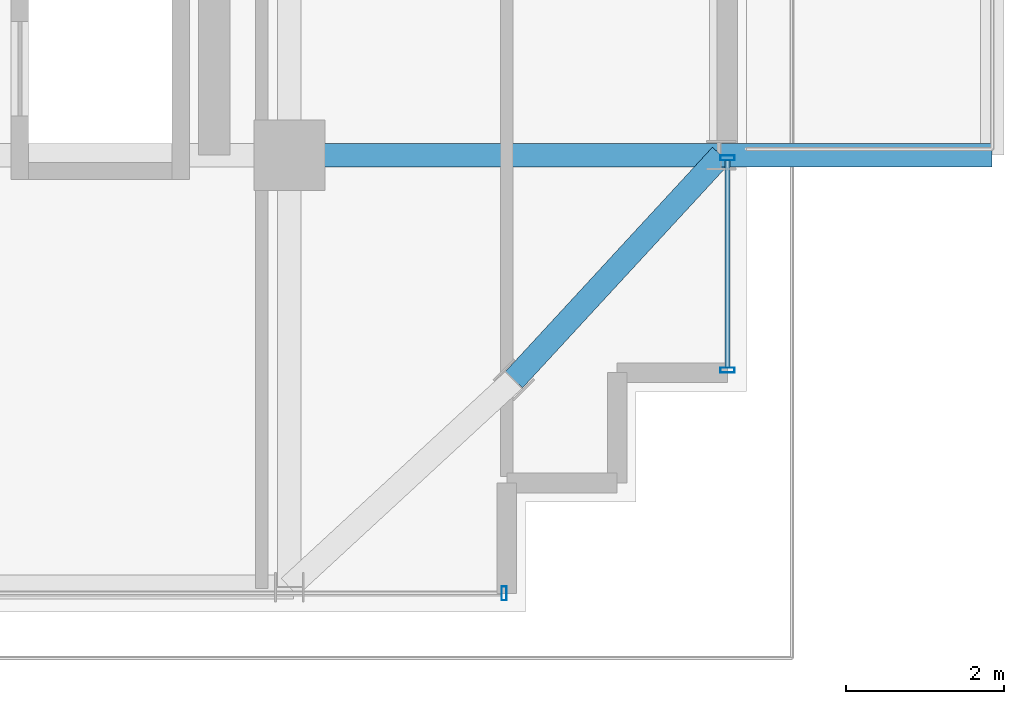
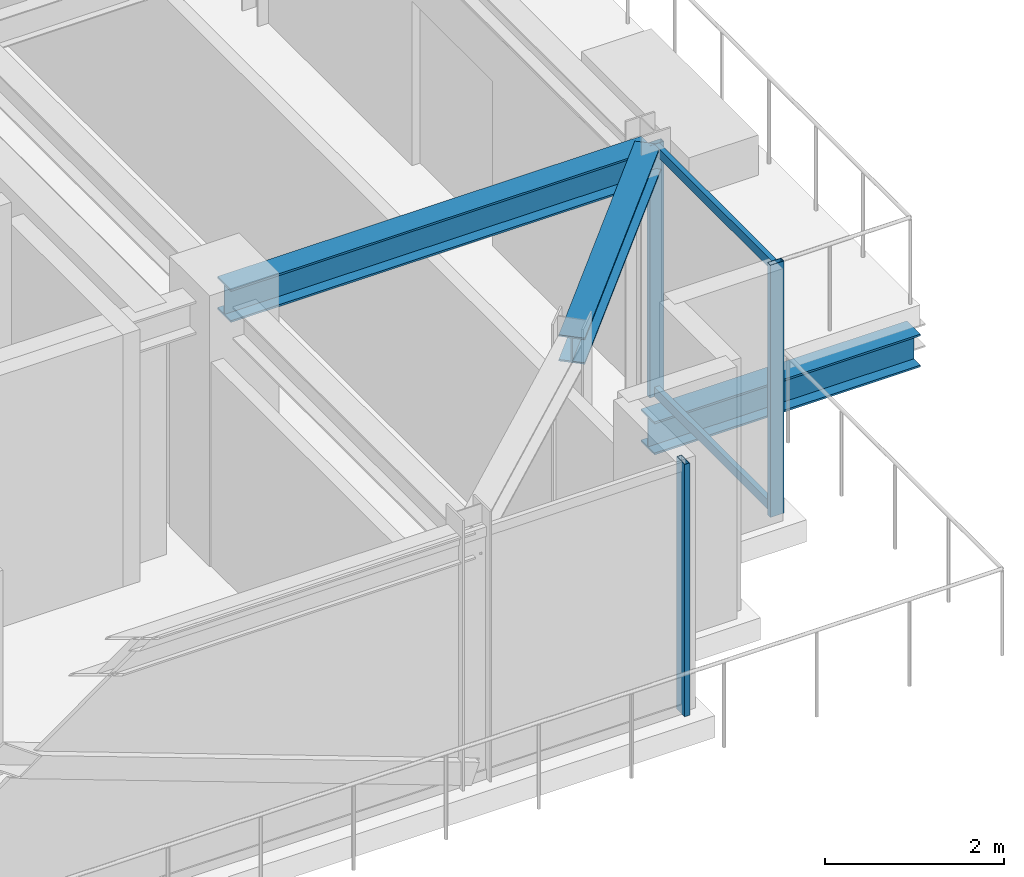
# One storey, part 12 of 32: 5 members, 3 beams, 2 elements without a shape of their own.
"""IFC4 building model written with IfcOpenShell, lengths in metres."""

from ifc_helpers import new_model, si_unit, direction, frame, origin, origin_2d, place, context, subcontext, project, spatial, hollow_rectangle, i_section, extrude, source, transform, mapped, material, material_profile, profile_set, type_object, element, aggregate, save


model = new_model("IFC4")

# Units and contexts
model_context = context("Model", 3, precision=1e-05, world=origin(), true_north=direction((0.0, 1.0)))
body_context = subcontext(model_context, "Body", "Model", "MODEL_VIEW")
ifc_project = project(units=[si_unit("LENGTHUNIT", "METRE"), si_unit("AREAUNIT", "SQUARE_METRE"), si_unit("VOLUMEUNIT", "CUBIC_METRE"), si_unit("PLANEANGLEUNIT", "RADIAN"), si_unit("MASSUNIT", "GRAM", prefix="KILO")], contexts=[model_context])

# Site, building, storey
site_placement = place(None, origin())
site = spatial("IfcSite", under=ifc_project, at=site_placement, CompositionType="ELEMENT")
building_placement = place(site_placement, origin())
building = spatial("IfcBuilding", under=site, at=building_placement, Name="Nahalor Promenade Grand Hotel", CompositionType="ELEMENT")
storey_placement = place(building_placement, frame((0.0, 0.0, 266.300048828125)))
storey = spatial("IfcBuildingStorey", under=building, at=storey_placement, Name="L68", CompositionType="ELEMENT", Elevation=266.300048828125)

# Beams
ifc_material_1 = material(Name="Steel S355JR", Category="steel")
ifc_material_profile_1 = material_profile(ifc_material_1, i_section(OverallWidth=0.3, OverallDepth=0.45, WebThickness=0.014, FlangeThickness=0.026, at=origin_2d()), Name="HEB 450")
ifc_profile_set_1 = profile_set([ifc_material_profile_1], Name="Steel S355JR")
beam_type_1 = type_object("IfcBeamType", Name="Beam-Outrigger-HEB450", PredefinedType="BEAM", material=ifc_profile_set_1)
shared_shape_1 = source(origin(), body_context, "Body", "SweptSolid", [
    extrude(i_section(OverallWidth=0.3, OverallDepth=0.45, WebThickness=0.014, FlangeThickness=0.026, at=origin_2d()), origin(), (0.0, 0.0, 1.0), 3.43994140625),
])
beam_1_placement = place(storey_placement, frame((22.47998046875, -17.0, -0.505126953125), z_axis=(1.0, 0.0, 0.0), x_axis=(0.0, 1.0, 0.0)))
element("IfcBeam", 1, at=beam_1_placement, inside=storey, type_object=beam_type_1, Name="BM-L68-BC-02-1", PredefinedType="BEAM", context=body_context, shape_type="MappedRepresentation", body=[
    mapped(shared_shape_1, transform((0.0, 0.0, 0.0), scale=1.0)),
])
ifc_material_profile_2 = material_profile(ifc_material_1, i_section(OverallWidth=0.3, OverallDepth=0.45, WebThickness=0.014, FlangeThickness=0.026, at=origin_2d()), Name="HEB 450")
ifc_profile_set_2 = profile_set([ifc_material_profile_2], Name="Steel S355JR")
beam_type_2 = type_object("IfcBeamType", Name="Beam-Girder-HEB450", PredefinedType="BEAM", material=ifc_profile_set_2)
shared_shape_2 = source(origin(), body_context, "Body", "SweptSolid", [
    extrude(i_section(OverallWidth=0.3, OverallDepth=0.45, WebThickness=0.014, FlangeThickness=0.026, at=origin_2d()), origin(), (0.0, 0.0, 1.0), 5.47998046875),
])
beam_2_placement = place(storey_placement, frame((17.0, -17.0, 3.224853515625), z_axis=(1.0, 0.0, 0.0), x_axis=(0.0, 1.0, 0.0)))
element("IfcBeam", 2, at=beam_2_placement, inside=storey, type_object=beam_type_2, Name="BM-L68-GX-0-6", PredefinedType="BEAM", context=body_context, shape_type="MappedRepresentation", body=[
    mapped(shared_shape_2, transform((0.0, 0.0, 0.0), scale=1.0)),
])
ifc_material_profile_3 = material_profile(ifc_material_1, i_section(OverallWidth=0.3, OverallDepth=0.36, WebThickness=0.0125, FlangeThickness=0.0225, at=origin_2d()), Name="HEB 360")
ifc_profile_set_3 = profile_set([ifc_material_profile_3], Name="Steel S355JR")
beam_type_3 = type_object("IfcBeamType", Name="Beam-Spandrel-HEB360", PredefinedType="SPANDREL", material=ifc_profile_set_3)
shared_shape_3 = source(origin(), body_context, "Body", "SweptSolid", [
    extrude(i_section(OverallWidth=0.3, OverallDepth=0.36, WebThickness=0.0125, FlangeThickness=0.0225, at=origin_2d()), origin(), (0.0, 0.0, 1.0), 3.878173828125),
])
beam_3_placement = place(storey_placement, frame((19.85009765625, -19.85009765625, 3.27001953125), z_axis=(0.678144125843, 0.73492893846, 0.0), x_axis=(-0.73492893846, 0.678144125843, 0.0)))
element("IfcBeam", 3, at=beam_3_placement, inside=storey, type_object=beam_type_3, Name="BM-L68-SPC-SE-2", PredefinedType="SPANDREL", context=body_context, shape_type="MappedRepresentation", body=[
    mapped(shared_shape_3, transform((0.0, 0.0, 0.0), scale=1.0)),
])

# Curtain wall, members
ifc_material_2 = material(Name="Anodised Bronze Aluminium EN AW-6063 T6", Category="aluminium")
curtain_wall_type = type_object("IfcCurtainWallType", Name="CW2 Typical Hotel Flush Bronze Unitised Curtain Wall", PredefinedType="USERDEFINED", material=ifc_material_2)
curtain_wall_1_placement = place(storey_placement, origin())
curtain_wall_1 = element("IfcCurtainWall", 4, at=curtain_wall_1_placement, inside=storey, type_object=curtain_wall_type, Name="L68 Curtain Wall CW-L68-E-1", ObjectType="UNITISED_CURTAIN_WALL", PredefinedType="USERDEFINED")
ifc_material_profile_4 = material_profile(ifc_material_2, hollow_rectangle(XDim=0.065, YDim=0.13, WallThickness=0.004, at=origin_2d()), Name="CWT 65x130x4")
ifc_profile_set_4 = profile_set([ifc_material_profile_4], Name="Anodised Bronze Aluminium EN AW-6063 T6")
member_type_1 = type_object("IfcMemberType", Name="CWT2 Typical Bronze Transom 65x130", PredefinedType="USERDEFINED", material=ifc_profile_set_4)
shared_shape_4 = source(origin(), body_context, "Body", "SweptSolid", [
    extrude(hollow_rectangle(XDim=0.065, YDim=0.13, WallThickness=0.004, at=origin_2d()), origin(), (0.0, 0.0, 1.0), 2.630126953125),
])
member_1_placement = place(storey_placement, frame((22.56005859375, -19.695068359375, 0.06494140625), z_axis=(0.0, 1.0, 0.0), x_axis=(-1.0, 0.0, 0.0)))
member_1 = element("IfcMember", 5, at=member_1_placement, type_object=member_type_1, Name="CW-L68-E-1 Transom 0-0", ObjectType="TRANSOM", PredefinedType="USERDEFINED", context=body_context, shape_type="MappedRepresentation", body=[
    mapped(shared_shape_4, transform((0.0, 0.0, 0.0), scale=1.0)),
])
member_2_placement = place(storey_placement, frame((22.56005859375, -19.695068359375, 3.385009765625), z_axis=(0.0, 1.0, 0.0), x_axis=(-1.0, 0.0, 0.0)))
member_2 = element("IfcMember", 6, at=member_2_placement, type_object=member_type_1, Name="CW-L68-E-1 Transom 0-1", ObjectType="TRANSOM", PredefinedType="USERDEFINED", context=body_context, shape_type="MappedRepresentation", body=[
    mapped(shared_shape_4, transform((0.0, 0.0, 0.0), scale=1.0)),
])

# Curtain wall, member
curtain_wall_2_placement = place(storey_placement, origin())
curtain_wall_2 = element("IfcCurtainWall", 7, at=curtain_wall_2_placement, inside=storey, type_object=curtain_wall_type, Name="L68 Curtain Wall CW-L68-S-1", ObjectType="UNITISED_CURTAIN_WALL", PredefinedType="USERDEFINED")
ifc_material_profile_5 = material_profile(ifc_material_2, hollow_rectangle(XDim=0.065, YDim=0.18, WallThickness=0.004, at=origin_2d()), Name="CWM 65x180x4")
ifc_profile_set_5 = profile_set([ifc_material_profile_5], Name="Anodised Bronze Aluminium EN AW-6063 T6")
member_type_2 = type_object("IfcMemberType", Name="CWM2 Typical Bronze Mullion 65x180", PredefinedType="MULLION", material=ifc_profile_set_5)
shared_shape_5 = source(origin(), body_context, "Body", "SweptSolid", [
    extrude(hollow_rectangle(XDim=0.065, YDim=0.18, WallThickness=0.004, at=origin_2d()), origin(), (0.0, 0.0, 1.0), 3.449951171875),
])
member_3_placement = place(storey_placement, frame((19.7275390625, -22.56005859375, 0.0), z_axis=(0.0, 0.0, 1.0), x_axis=(1.0, 0.0, 0.0)))
member_3 = element("IfcMember", 8, at=member_3_placement, type_object=member_type_2, Name="CW-L68-S-1 Mullion 3", PredefinedType="MULLION", context=body_context, shape_type="MappedRepresentation", body=[
    mapped(shared_shape_5, transform((0.0, 0.0, 0.0), scale=1.0)),
])
aggregate(curtain_wall_2, [member_3])

# Member
member_4_placement = place(storey_placement, frame((22.56005859375, -19.7275390625, 0.0), z_axis=(0.0, 0.0, 1.0), x_axis=(0.0, 1.0, 0.0)))
member_4 = element("IfcMember", 9, at=member_4_placement, type_object=member_type_2, Name="CW-L68-E-1 Mullion 0", PredefinedType="MULLION", context=body_context, shape_type="MappedRepresentation", body=[
    mapped(shared_shape_5, transform((0.0, 0.0, 0.0), scale=1.0)),
])

member_5_placement = place(storey_placement, frame((22.56005859375, -17.032470703125, 0.0), z_axis=(0.0, 0.0, 1.0), x_axis=(0.0, 1.0, 0.0)))
member_5 = element("IfcMember", 10, at=member_5_placement, type_object=member_type_2, Name="CW-L68-E-1 Mullion 1", PredefinedType="MULLION", context=body_context, shape_type="MappedRepresentation", body=[
    mapped(shared_shape_5, transform((0.0, 0.0, 0.0), scale=1.0)),
])

aggregate(curtain_wall_1, [member_4, member_5, member_1, member_2])

save(model, "model.ifc")
